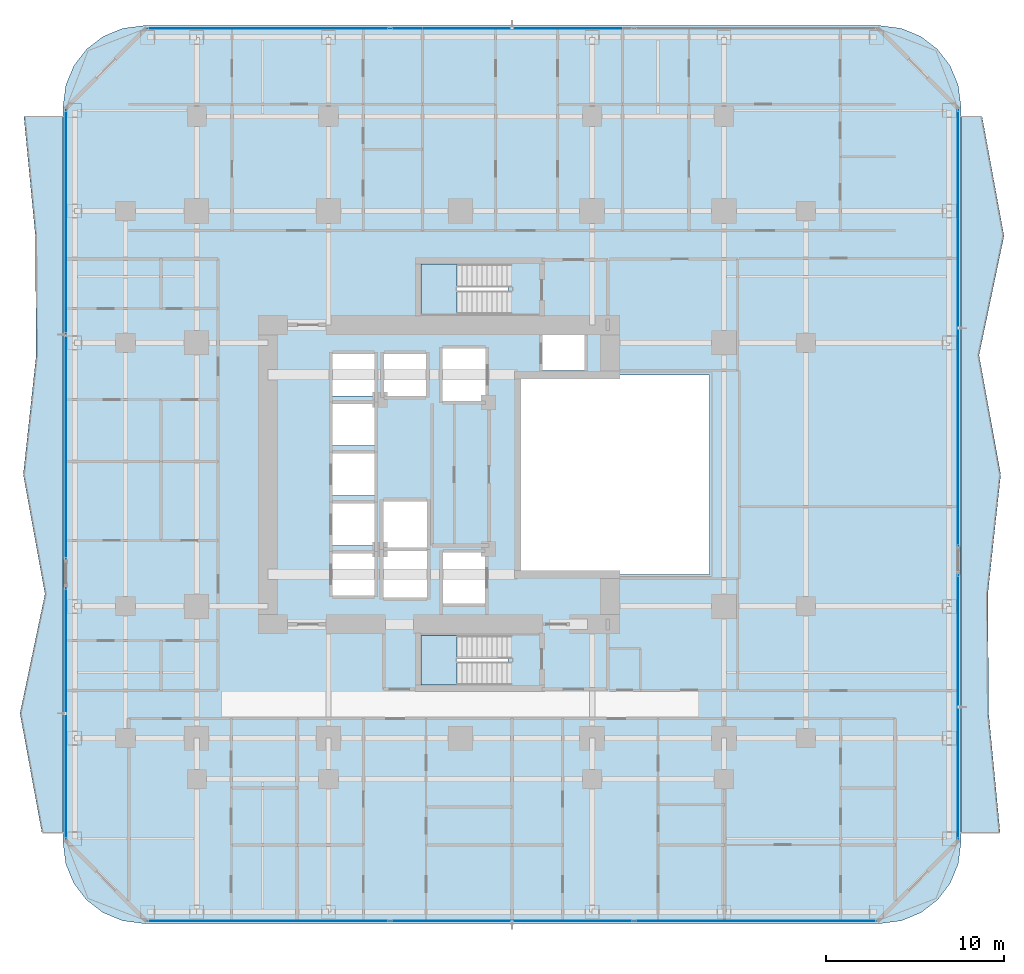
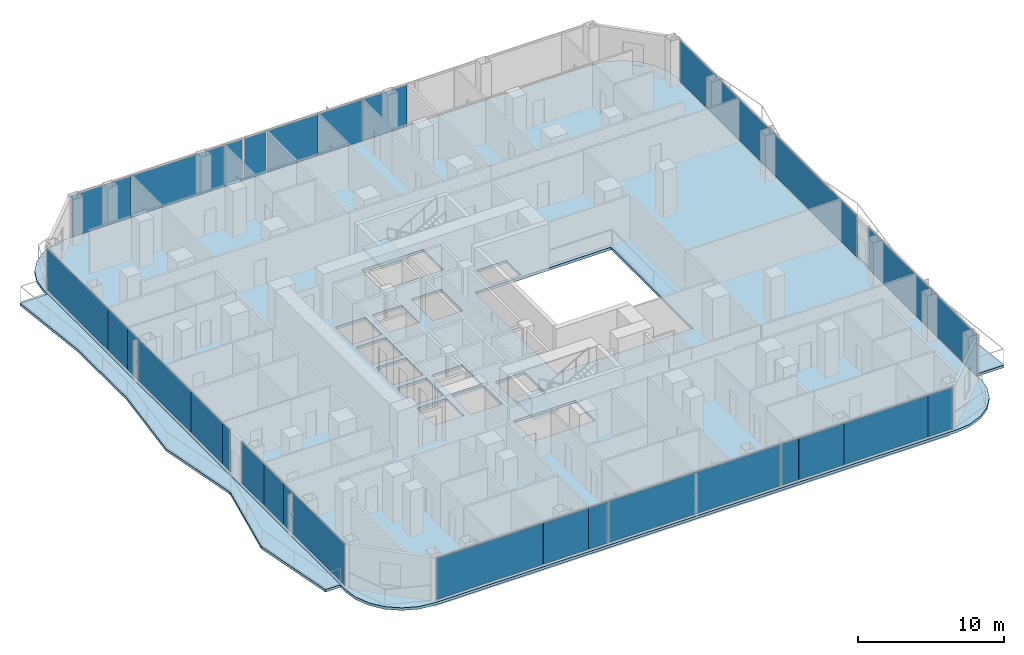
# One storey, part 18 of 30: 26 plates, 5 slabs, 8 elements without a shape of their own.
"""IFC4 building model written with IfcOpenShell, lengths in metres."""

from ifc_helpers import new_model, si_unit, direction, frame, origin, origin_2d, place, context, subcontext, project, spatial, polyline, rectangle, outline, extrude, material, layer, layer_set, type_object, element, aggregate, save


model = new_model("IFC4")

# Units and contexts
model_context = context("Model", 3, precision=1e-05, world=origin(), true_north=direction((0.0, 1.0)))
body_context = subcontext(model_context, "Body", "Model", "MODEL_VIEW")
ifc_project = project(units=[si_unit("LENGTHUNIT", "METRE"), si_unit("AREAUNIT", "SQUARE_METRE"), si_unit("VOLUMEUNIT", "CUBIC_METRE"), si_unit("PLANEANGLEUNIT", "RADIAN"), si_unit("MASSUNIT", "GRAM", prefix="KILO")], contexts=[model_context])

# Site, building, storey
site_placement = place(None, origin())
site = spatial("IfcSite", under=ifc_project, at=site_placement, CompositionType="ELEMENT")
building_placement = place(site_placement, origin())
building = spatial("IfcBuilding", under=site, at=building_placement, Name="Khorvyn Point Tower", CompositionType="ELEMENT")
storey_placement = place(building_placement, frame((0.0, 0.0, 30.60009765625)))
storey = spatial("IfcBuildingStorey", under=building, at=storey_placement, Name="L08", CompositionType="ELEMENT", Elevation=30.60009765625)

# Slabs
ifc_material_1 = material(Name="Concrete C35/45", Category="concrete")
ifc_layer_1 = layer(ifc_material_1, 0.219970703125)
ifc_layer_set_1 = layer_set([ifc_layer_1], Name="Concrete C35/45 Structural Floor Slab 220")
slab_type_1 = type_object("IfcSlabType", Name="Concrete C35/45 Structural Floor Slab 220", PredefinedType="FLOOR", material=ifc_layer_set_1)
slab_1_placement = place(storey_placement, frame((0.0, 0.0, -0.22021484375)))
element("IfcSlab", 1, at=slab_1_placement, inside=storey, type_object=slab_type_1, Name="L08 Main Structural Floor Slab", PredefinedType="FLOOR", context=body_context, shape_type="SweptSolid", body=[
    extrude(outline(polyline([(-17.800048828125, -25.199951171875), (-18.964599609375, -25.046630859375), (-20.050048828125, -24.59716796875), (-20.98193359375, -23.882080078125), (-21.697021484375, -22.949951171875), (-22.146728515625, -21.86474609375), (-22.300048828125, -20.699951171875), (-22.300048828125, 20.699951171875), (-22.146728515625, 21.86474609375), (-21.697021484375, 22.949951171875), (-20.98193359375, 23.882080078125), (-20.050048828125, 24.59716796875), (-18.964599609375, 25.046630859375), (-17.800048828125, 25.199951171875), (23.60009765625, 25.199951171875), (24.7646484375, 25.046630859375), (25.85009765625, 24.59716796875), (26.781982421875, 23.882080078125), (27.4970703125, 22.949951171875), (27.94677734375, 21.86474609375), (28.10009765625, 20.699951171875), (28.10009765625, -20.699951171875), (27.94677734375, -21.86474609375), (27.4970703125, -22.949951171875), (26.781982421875, -23.882080078125), (25.85009765625, -24.59716796875), (24.7646484375, -25.046630859375), (23.60009765625, -25.199951171875), (-17.800048828125, -25.199951171875)]), holes=[polyline([(-4.824951171875, -6.77490234375), (-4.824951171875, -4.425048828125), (-7.175048828125, -4.425048828125), (-7.175048828125, -6.77490234375), (-4.824951171875, -6.77490234375)]), polyline([(-4.324951171875, -6.89990234375), (-1.875, -6.89990234375), (-1.875, -4.300048828125), (-4.324951171875, -4.300048828125), (-4.324951171875, -6.89990234375)]), polyline([(-7.175048828125, -3.97509765625), (-4.824951171875, -3.97509765625), (-4.824951171875, -1.625), (-7.175048828125, -1.625), (-7.175048828125, -3.97509765625)]), polyline([(-7.175048828125, -1.175048828125), (-4.824951171875, -1.175048828125), (-4.824951171875, 1.175048828125), (-7.175048828125, 1.175048828125), (-7.175048828125, -1.175048828125)]), polyline([(-7.175048828125, 1.625), (-4.824951171875, 1.625), (-4.824951171875, 3.97509765625), (-7.175048828125, 3.97509765625), (-7.175048828125, 1.625)]), polyline([(-7.175048828125, 4.425048828125), (-4.824951171875, 4.425048828125), (-4.824951171875, 6.77490234375), (-7.175048828125, 6.77490234375), (-7.175048828125, 4.425048828125)]), polyline([(-4.27490234375, 4.425048828125), (-1.925048828125, 4.425048828125), (-1.925048828125, 6.77490234375), (-4.27490234375, 6.77490234375), (-4.27490234375, 4.425048828125)]), polyline([(2.679931640625, -11.820068359375), (2.679931640625, -9.02001953125), (-2.199951171875, -9.02001953125), (-2.199951171875, -11.820068359375), (2.679931640625, -11.820068359375)]), polyline([(-0.97509765625, -7.22509765625), (1.375, -7.22509765625), (1.375, -4.375), (-0.97509765625, -4.375), (-0.97509765625, -7.22509765625)]), polyline([(-4.324951171875, -4.10009765625), (-1.875, -4.10009765625), (-1.875, -1.5), (-4.324951171875, -1.5), (-4.324951171875, -4.10009765625)]), polyline([(3.199951171875, -5.60009765625), (14.0, -5.60009765625), (14.0, 5.60009765625), (3.199951171875, 5.60009765625), (3.199951171875, -5.60009765625)]), polyline([(-1.0, 4.125), (1.39990234375, 4.125), (1.39990234375, 7.074951171875), (-1.0, 7.074951171875), (-1.0, 4.125)]), polyline([(4.625, 5.85009765625), (6.97509765625, 5.85009765625), (6.97509765625, 7.830078125), (4.625, 7.830078125), (4.625, 5.85009765625)]), polyline([(-2.199951171875, 9.02001953125), (2.679931640625, 9.02001953125), (2.679931640625, 11.820068359375), (-2.199951171875, 11.820068359375), (-2.199951171875, 9.02001953125)])]), origin(), (0.0, 0.0, 1.0), 0.22021484375),
])
ifc_material_2 = material(Name="Concrete C40/50", Category="concrete")
ifc_layer_2 = layer(ifc_material_2, 0.2099609375)
ifc_layer_set_2 = layer_set([ifc_layer_2], Name="Concrete C40/50 Rippling Balcony Slab 210")
slab_type_2 = type_object("IfcSlabType", Name="Concrete C40/50 Rippling Balcony Slab 210", PredefinedType="USERDEFINED", material=ifc_layer_set_2)
slab_2_placement = place(storey_placement, frame((0.0, 0.0, -0.210205078125)))
element("IfcSlab", 2, at=slab_2_placement, inside=storey, type_object=slab_type_2, Name="L08 East Sinusoidal Rippling Balcony", ObjectType="BALCONY", PredefinedType="USERDEFINED", context=body_context, shape_type="SweptSolid", body=[
    extrude(outline(polyline([(28.10009765625, -20.10009765625), (30.302490234375, -20.10009765625), (29.657470703125, -13.39990234375), (29.611572265625, -6.699951171875), (30.3369140625, 0.0), (29.1171875, 6.699951171875), (30.520263671875, 13.39990234375), (29.29150390625, 20.10009765625), (28.10009765625, 20.10009765625), (28.10009765625, -20.10009765625)])), origin(), (0.0, 0.0, 1.0), 0.210205078125),
])
slab_3_placement = place(storey_placement, frame((0.0, 0.0, -0.210205078125)))
element("IfcSlab", 3, at=slab_3_placement, inside=storey, type_object=slab_type_2, Name="L08 West Sinusoidal Rippling Balcony", ObjectType="BALCONY", PredefinedType="USERDEFINED", context=body_context, shape_type="SweptSolid", body=[
    extrude(outline(polyline([(-22.300048828125, 20.10009765625), (-24.502685546875, 20.10009765625), (-23.857421875, 13.39990234375), (-23.8115234375, 6.699951171875), (-24.536865234375, 0.0), (-23.317138671875, -6.699951171875), (-24.72021484375, -13.39990234375), (-23.49169921875, -20.10009765625), (-22.300048828125, -20.10009765625), (-22.300048828125, 20.10009765625)])), origin(), (0.0, 0.0, 1.0), 0.210205078125),
])

# Stair, slab
stair_type = type_object("IfcStairType", Name="Tower Concrete C40/50 Dogleg Exit Stair", PredefinedType="HALF_TURN_STAIR", material=ifc_material_2)
stair_1_placement = place(storey_placement, origin())
stair_1 = element("IfcStair", 4, at=stair_1_placement, inside=storey, type_object=stair_type, Name="L08 Tower Smokeproof Exit Stair South", PredefinedType="HALF_TURN_STAIR")
ifc_layer_3 = layer(ifc_material_2, 0.199951171875)
ifc_layer_set_3 = layer_set([ifc_layer_3], Name="Concrete C40/50 Stair Landing Slab 200")
slab_type_3 = type_object("IfcSlabType", Name="Concrete C40/50 Stair Landing Slab 200", PredefinedType="LANDING", material=ifc_layer_set_3)
slab_4_placement = place(storey_placement, frame((0.0, 0.0, 1.75)))
slab_4 = element("IfcSlab", 5, at=slab_4_placement, type_object=slab_type_3, Name="ST-01 landing 1", PredefinedType="LANDING", context=body_context, shape_type="SweptSolid", body=[
    extrude(outline(polyline([(-0.179931640625, -9.02001953125), (-2.199951171875, -9.02001953125), (-2.199951171875, -11.820068359375), (-0.179931640625, -11.820068359375), (-0.179931640625, -9.02001953125)])), origin(), (0.0, 0.0, 1.0), 0.199951171875),
])
aggregate(stair_1, [slab_4])

stair_2_placement = place(storey_placement, origin())
stair_2 = element("IfcStair", 6, at=stair_2_placement, inside=storey, type_object=stair_type, Name="L08 Tower Smokeproof Exit Stair North", PredefinedType="HALF_TURN_STAIR")
slab_5_placement = place(storey_placement, frame((0.0, 0.0, 1.75)))
slab_5 = element("IfcSlab", 7, at=slab_5_placement, type_object=slab_type_3, Name="ST-02 landing 1", PredefinedType="LANDING", context=body_context, shape_type="SweptSolid", body=[
    extrude(outline(polyline([(-0.179931640625, 11.820068359375), (-2.199951171875, 11.820068359375), (-2.199951171875, 9.02001953125), (-0.179931640625, 9.02001953125), (-0.179931640625, 11.820068359375)])), origin(), (0.0, 0.0, 1.0), 0.199951171875),
])
aggregate(stair_2, [slab_5])

# Curtain wall, plates
ifc_material_3 = material(Name="Anodised aluminium 6063-T6 and laminated Low-E glass", Category="aluminium")
ifc_layer_4 = layer(ifc_material_3, 0.18994140625)
ifc_layer_set_4 = layer_set([ifc_layer_4], Name="Stick-Built Finned Residential Curtain Wall CW-SYS-02")
curtain_wall_type = type_object("IfcCurtainWallType", Name="Stick-Built Finned Residential Curtain Wall CW-SYS-02", PredefinedType="NOTDEFINED", material=ifc_layer_set_4)
curtain_wall_1_placement = place(storey_placement, origin())
curtain_wall_1 = element("IfcCurtainWall", 8, at=curtain_wall_1_placement, inside=storey, type_object=curtain_wall_type, Name="Curtain Wall", PredefinedType="NOTDEFINED")
ifc_material_4 = material(Name="Laminated Low-E insulated glass", Category="glass")
ifc_layer_5 = layer(ifc_material_4, 0.028076171875)
ifc_layer_set_5 = layer_set([ifc_layer_5], Name="Tempered Low-E Vision Glazing Panel CW-GL28")
plate_type = type_object("IfcPlateType", Name="Tempered Low-E Vision Glazing Panel CW-GL28", PredefinedType="CURTAIN_PANEL", material=ifc_layer_set_5)
plate_1_placement = place(storey_placement, frame((10.48095703125, -25.050048828125, 0.099853515625), z_axis=(0.0, 0.0, 1.0), x_axis=(-1.0, 0.0, 0.0)))
plate_1 = element("IfcPlate", 9, at=plate_1_placement, type_object=plate_type, Name="Panel", PredefinedType="CURTAIN_PANEL", context=body_context, shape_type="SweptSolid", body=[
    extrude(rectangle(XDim=1.35400390625, YDim=0.028076171875, at=origin_2d()), origin(), (0.0, 0.0, 1.0), 3.47998046875),
])
plate_2_placement = place(storey_placement, frame((12.9619140625, -25.050048828125, 0.099853515625), z_axis=(0.0, 0.0, 1.0), x_axis=(-1.0, 0.0, 0.0)))
plate_2 = element("IfcPlate", 10, at=plate_2_placement, type_object=plate_type, Name="Panel", PredefinedType="CURTAIN_PANEL", context=body_context, shape_type="SweptSolid", body=[
    extrude(rectangle(XDim=3.592041015625, YDim=0.028076171875, at=origin_2d()), origin(), (0.0, 0.0, 1.0), 3.47998046875),
])
plate_3_placement = place(storey_placement, frame((18.08837890625, -25.050048828125, 0.099853515625), z_axis=(0.0, 0.0, 1.0), x_axis=(-1.0, 0.0, 0.0)))
plate_3 = element("IfcPlate", 11, at=plate_3_placement, type_object=plate_type, Name="Panel", PredefinedType="CURTAIN_PANEL", context=body_context, shape_type="SweptSolid", body=[
    extrude(rectangle(XDim=6.64501953125, YDim=0.028076171875, at=origin_2d()), origin(), (0.0, 0.0, 1.0), 3.47998046875),
])
plate_4_placement = place(storey_placement, frame((22.382568359375, -25.050048828125, 0.099853515625), z_axis=(0.0, 0.0, 1.0), x_axis=(-1.0, 0.0, 0.0)))
plate_4 = element("IfcPlate", 12, at=plate_4_placement, type_object=plate_type, Name="Panel", PredefinedType="CURTAIN_PANEL", context=body_context, shape_type="SweptSolid", body=[
    extrude(rectangle(XDim=1.927001953125, YDim=0.028076171875, at=origin_2d()), origin(), (0.0, 0.0, 1.0), 3.47998046875),
])
plate_5_placement = place(storey_placement, frame((2.89990234375, -25.050048828125, 0.099853515625), z_axis=(0.0, 0.0, 1.0), x_axis=(-1.0, 0.0, 0.0)))
plate_5 = element("IfcPlate", 13, at=plate_5_placement, type_object=plate_type, Name="Panel", PredefinedType="CURTAIN_PANEL", context=body_context, shape_type="SweptSolid", body=[
    extrude(rectangle(XDim=13.60009765625, YDim=0.028076171875, at=origin_2d()), origin(), (0.0, 0.0, 1.0), 3.47998046875),
])
plate_6_placement = place(storey_placement, frame((-13.320556640625, -25.050048828125, 0.099853515625), z_axis=(0.0, 0.0, 1.0), x_axis=(-1.0, 0.0, 0.0)))
plate_6 = element("IfcPlate", 14, at=plate_6_placement, type_object=plate_type, Name="Panel", PredefinedType="CURTAIN_PANEL", context=body_context, shape_type="SweptSolid", body=[
    extrude(rectangle(XDim=8.450927734375, YDim=0.028076171875, at=origin_2d()), origin(), (0.0, 0.0, 1.0), 3.47998046875),
])
plate_7_placement = place(storey_placement, frame((-7.29248046875, -25.050048828125, 0.099853515625), z_axis=(0.0, 0.0, 1.0), x_axis=(-1.0, 0.0, 0.0)))
plate_7 = element("IfcPlate", 15, at=plate_7_placement, type_object=plate_type, Name="Panel", PredefinedType="CURTAIN_PANEL", context=body_context, shape_type="SweptSolid", body=[
    extrude(rectangle(XDim=3.589111328125, YDim=0.028076171875, at=origin_2d()), origin(), (0.0, 0.0, 1.0), 3.47998046875),
])
plate_8_placement = place(storey_placement, frame((-4.7470703125, -25.050048828125, 0.099853515625), z_axis=(0.0, 0.0, 1.0), x_axis=(-1.0, 0.0, 0.0)))
plate_8 = element("IfcPlate", 16, at=plate_8_placement, type_object=plate_type, Name="Panel", PredefinedType="CURTAIN_PANEL", context=body_context, shape_type="SweptSolid", body=[
    extrude(rectangle(XDim=1.486083984375, YDim=0.028076171875, at=origin_2d()), origin(), (0.0, 0.0, 1.0), 3.47998046875),
])
aggregate(curtain_wall_1, [plate_1, plate_2, plate_3, plate_4, plate_5, plate_6, plate_7, plate_8])

curtain_wall_2_placement = place(storey_placement, origin())
curtain_wall_2 = element("IfcCurtainWall", 17, at=curtain_wall_2_placement, inside=storey, type_object=curtain_wall_type, Name="Curtain Wall", PredefinedType="NOTDEFINED")
plate_9_placement = place(storey_placement, frame((-15.214111328125, 25.050048828125, 0.099853515625), z_axis=(0.0, 0.0, 1.0), x_axis=(1.0, 0.0, 0.0)))
plate_9 = element("IfcPlate", 18, at=plate_9_placement, type_object=plate_type, Name="Panel", PredefinedType="CURTAIN_PANEL", context=body_context, shape_type="SweptSolid", body=[
    extrude(rectangle(XDim=4.6640625, YDim=0.028076171875, at=origin_2d()), origin(), (0.0, 0.0, 1.0), 3.47998046875),
])
plate_10_placement = place(storey_placement, frame((-9.134033203125, 25.050048828125, 0.099853515625), z_axis=(0.0, 0.0, 1.0), x_axis=(1.0, 0.0, 0.0)))
plate_10 = element("IfcPlate", 19, at=plate_10_placement, type_object=plate_type, Name="Panel", PredefinedType="CURTAIN_PANEL", context=body_context, shape_type="SweptSolid", body=[
    extrude(rectangle(XDim=7.47998046875, YDim=0.028076171875, at=origin_2d()), origin(), (0.0, 0.0, 1.0), 3.47998046875),
])
plate_11_placement = place(storey_placement, frame((-4.695068359375, 25.050048828125, 0.099853515625), z_axis=(0.0, 0.0, 1.0), x_axis=(1.0, 0.0, 0.0)))
plate_11 = element("IfcPlate", 20, at=plate_11_placement, type_object=plate_type, Name="Panel", PredefinedType="CURTAIN_PANEL", context=body_context, shape_type="SweptSolid", body=[
    extrude(rectangle(XDim=1.382080078125, YDim=0.028076171875, at=origin_2d()), origin(), (0.0, 0.0, 1.0), 3.47998046875),
])
plate_12_placement = place(storey_placement, frame((-3.04052734375, 25.050048828125, 0.099853515625), z_axis=(0.0, 0.0, 1.0), x_axis=(1.0, 0.0, 0.0)))
plate_12 = element("IfcPlate", 21, at=plate_12_placement, type_object=plate_type, Name="Panel", PredefinedType="CURTAIN_PANEL", context=body_context, shape_type="SweptSolid", body=[
    extrude(rectangle(XDim=1.7109375, YDim=0.028076171875, at=origin_2d()), origin(), (0.0, 0.0, 1.0), 3.47998046875),
])
plate_13_placement = place(storey_placement, frame((-0.071044921875, 25.050048828125, 0.099853515625), z_axis=(0.0, 0.0, 1.0), x_axis=(1.0, 0.0, 0.0)))
plate_13 = element("IfcPlate", 22, at=plate_13_placement, type_object=plate_type, Name="Panel", PredefinedType="CURTAIN_PANEL", context=body_context, shape_type="SweptSolid", body=[
    extrude(rectangle(XDim=3.971923828125, YDim=0.028076171875, at=origin_2d()), origin(), (0.0, 0.0, 1.0), 3.47998046875),
])
plate_14_placement = place(storey_placement, frame((3.722412109375, 25.050048828125, 0.099853515625), z_axis=(0.0, 0.0, 1.0), x_axis=(1.0, 0.0, 0.0)))
plate_14 = element("IfcPlate", 23, at=plate_14_placement, type_object=plate_type, Name="Panel", PredefinedType="CURTAIN_PANEL", context=body_context, shape_type="SweptSolid", body=[
    extrude(rectangle(XDim=3.59912109375, YDim=0.028076171875, at=origin_2d()), origin(), (0.0, 0.0, 1.0), 3.47998046875),
])
plate_15_placement = place(storey_placement, frame((7.285400390625, 25.050048828125, 0.099853515625), z_axis=(0.0, 0.0, 1.0), x_axis=(1.0, 0.0, 0.0)))
plate_15 = element("IfcPlate", 24, at=plate_15_placement, type_object=plate_type, Name="Panel", PredefinedType="CURTAIN_PANEL", context=body_context, shape_type="SweptSolid", body=[
    extrude(rectangle(XDim=3.510986328125, YDim=0.028076171875, at=origin_2d()), origin(), (0.0, 0.0, 1.0), 3.47998046875),
])
aggregate(curtain_wall_2, [plate_9, plate_10, plate_11, plate_12, plate_13, plate_14, plate_15])

curtain_wall_3_placement = place(storey_placement, origin())
curtain_wall_3 = element("IfcCurtainWall", 25, at=curtain_wall_3_placement, inside=storey, type_object=curtain_wall_type, Name="Curtain Wall", PredefinedType="NOTDEFINED")
plate_16_placement = place(storey_placement, frame((-22.14990234375, -16.2548828125, 0.099853515625), z_axis=(0.0, 0.0, 1.0), x_axis=(0.0, 1.0, 0.0)))
plate_16 = element("IfcPlate", 26, at=plate_16_placement, type_object=plate_type, Name="Panel", PredefinedType="CURTAIN_PANEL", context=body_context, shape_type="SweptSolid", body=[
    extrude(rectangle(XDim=8.382080078125, YDim=0.028076171875, at=origin_2d()), origin(), (0.0, 0.0, 1.0), 3.47998046875),
])
plate_17_placement = place(storey_placement, frame((-22.14990234375, -10.719970703125, 0.099853515625), z_axis=(0.0, 0.0, 1.0), x_axis=(0.0, 1.0, 0.0)))
plate_17 = element("IfcPlate", 27, at=plate_17_placement, type_object=plate_type, Name="Panel", PredefinedType="CURTAIN_PANEL", context=body_context, shape_type="SweptSolid", body=[
    extrude(rectangle(XDim=2.672119140625, YDim=0.028076171875, at=origin_2d()), origin(), (0.0, 0.0, 1.0), 3.47998046875),
])
plate_18_placement = place(storey_placement, frame((-22.14990234375, -7.8720703125, 0.099853515625), z_axis=(0.0, 0.0, 1.0), x_axis=(0.0, 1.0, 0.0)))
plate_18 = element("IfcPlate", 28, at=plate_18_placement, type_object=plate_type, Name="Panel", PredefinedType="CURTAIN_PANEL", context=body_context, shape_type="SweptSolid", body=[
    extrude(rectangle(XDim=3.008056640625, YDim=0.028076171875, at=origin_2d()), origin(), (0.0, 0.0, 1.0), 3.47998046875),
])
aggregate(curtain_wall_3, [plate_16, plate_17, plate_18])

curtain_wall_4_placement = place(storey_placement, origin())
curtain_wall_4 = element("IfcCurtainWall", 29, at=curtain_wall_4_placement, inside=storey, type_object=curtain_wall_type, Name="Curtain Wall", PredefinedType="NOTDEFINED")
plate_19_placement = place(storey_placement, frame((-22.14990234375, -4.181396484375, 0.099853515625), z_axis=(0.0, 0.0, 1.0), x_axis=(0.0, 1.0, 0.0)))
plate_19 = element("IfcPlate", 30, at=plate_19_placement, type_object=plate_type, Name="Panel", PredefinedType="CURTAIN_PANEL", context=body_context, shape_type="SweptSolid", body=[
    extrude(rectangle(XDim=1.076904296875, YDim=0.028076171875, at=origin_2d()), origin(), (0.0, 0.0, 1.0), 3.47998046875),
])
plate_20_placement = place(storey_placement, frame((-22.14990234375, -1.486083984375, 0.099853515625), z_axis=(0.0, 0.0, 1.0), x_axis=(0.0, 1.0, 0.0)))
plate_20 = element("IfcPlate", 31, at=plate_20_placement, type_object=plate_type, Name="Panel", PredefinedType="CURTAIN_PANEL", context=body_context, shape_type="SweptSolid", body=[
    extrude(rectangle(XDim=4.298095703125, YDim=0.028076171875, at=origin_2d()), origin(), (0.0, 0.0, 1.0), 3.47998046875),
])
plate_21_placement = place(storey_placement, frame((-22.14990234375, 4.239990234375, 0.099853515625), z_axis=(0.0, 0.0, 1.0), x_axis=(0.0, 1.0, 0.0)))
plate_21 = element("IfcPlate", 32, at=plate_21_placement, type_object=plate_type, Name="Panel", PredefinedType="CURTAIN_PANEL", context=body_context, shape_type="SweptSolid", body=[
    extrude(rectangle(XDim=7.137939453125, YDim=0.028076171875, at=origin_2d()), origin(), (0.0, 0.0, 1.0), 3.47998046875),
])
plate_22_placement = place(storey_placement, frame((-22.14990234375, 8.646484375, 0.099853515625), z_axis=(0.0, 0.0, 1.0), x_axis=(0.0, 1.0, 0.0)))
plate_22 = element("IfcPlate", 33, at=plate_22_placement, type_object=plate_type, Name="Panel", PredefinedType="CURTAIN_PANEL", context=body_context, shape_type="SweptSolid", body=[
    extrude(rectangle(XDim=1.458984375, YDim=0.028076171875, at=origin_2d()), origin(), (0.0, 0.0, 1.0), 3.47998046875),
])
plate_23_placement = place(storey_placement, frame((-22.14990234375, 10.719970703125, 0.099853515625), z_axis=(0.0, 0.0, 1.0), x_axis=(0.0, 1.0, 0.0)))
plate_23 = element("IfcPlate", 34, at=plate_23_placement, type_object=plate_type, Name="Panel", PredefinedType="CURTAIN_PANEL", context=body_context, shape_type="SweptSolid", body=[
    extrude(rectangle(XDim=2.672119140625, YDim=0.028076171875, at=origin_2d()), origin(), (0.0, 0.0, 1.0), 3.47998046875),
])
plate_24_placement = place(storey_placement, frame((-22.14990234375, 16.2548828125, 0.099853515625), z_axis=(0.0, 0.0, 1.0), x_axis=(0.0, 1.0, 0.0)))
plate_24 = element("IfcPlate", 35, at=plate_24_placement, type_object=plate_type, Name="Panel", PredefinedType="CURTAIN_PANEL", context=body_context, shape_type="SweptSolid", body=[
    extrude(rectangle(XDim=8.382080078125, YDim=0.028076171875, at=origin_2d()), origin(), (0.0, 0.0, 1.0), 3.47998046875),
])
aggregate(curtain_wall_4, [plate_19, plate_20, plate_21, plate_22, plate_23, plate_24])

# Curtain wall, plate
curtain_wall_5_placement = place(storey_placement, origin())
curtain_wall_5 = element("IfcCurtainWall", 36, at=curtain_wall_5_placement, inside=storey, type_object=curtain_wall_type, Name="Curtain Wall", PredefinedType="NOTDEFINED")
plate_25_placement = place(storey_placement, frame((27.949951171875, 8.219970703125, 0.099853515625), z_axis=(0.0, 0.0, 1.0), x_axis=(0.0, -1.0, 0.0)))
plate_25 = element("IfcPlate", 37, at=plate_25_placement, type_object=plate_type, Name="Panel", PredefinedType="CURTAIN_PANEL", context=body_context, shape_type="SweptSolid", body=[
    extrude(rectangle(XDim=24.4599609375, YDim=0.028076171875, at=origin_2d()), origin(), (0.0, 0.0, 1.0), 3.47998046875),
])
aggregate(curtain_wall_5, [plate_25])

curtain_wall_6_placement = place(storey_placement, origin())
curtain_wall_6 = element("IfcCurtainWall", 38, at=curtain_wall_6_placement, inside=storey, type_object=curtain_wall_type, Name="Curtain Wall", PredefinedType="NOTDEFINED")
plate_26_placement = place(storey_placement, frame((27.949951171875, -13.050048828125, 0.099853515625), z_axis=(0.0, 0.0, 1.0), x_axis=(0.0, -1.0, 0.0)))
plate_26 = element("IfcPlate", 39, at=plate_26_placement, type_object=plate_type, Name="Panel", PredefinedType="CURTAIN_PANEL", context=body_context, shape_type="SweptSolid", body=[
    extrude(rectangle(XDim=14.800048828125, YDim=0.028076171875, at=origin_2d()), origin(), (0.0, 0.0, 1.0), 3.47998046875),
])
aggregate(curtain_wall_6, [plate_26])

save(model, "model.ifc")
